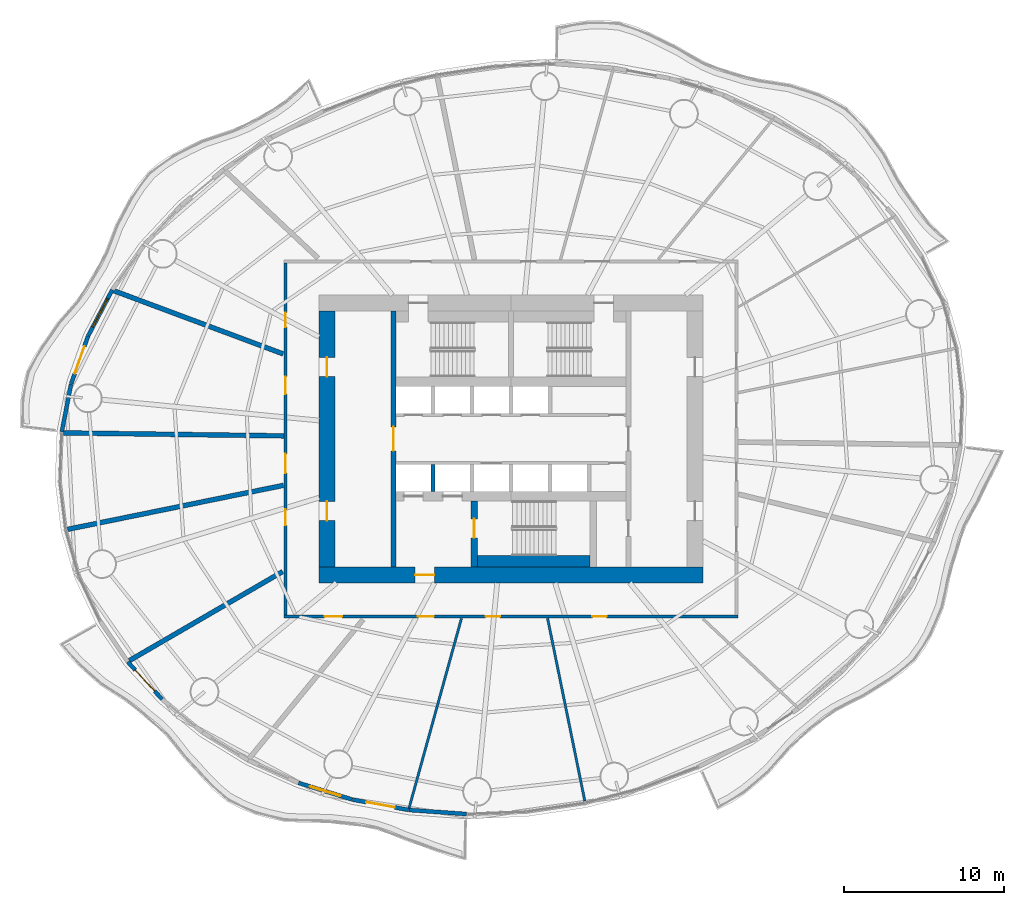
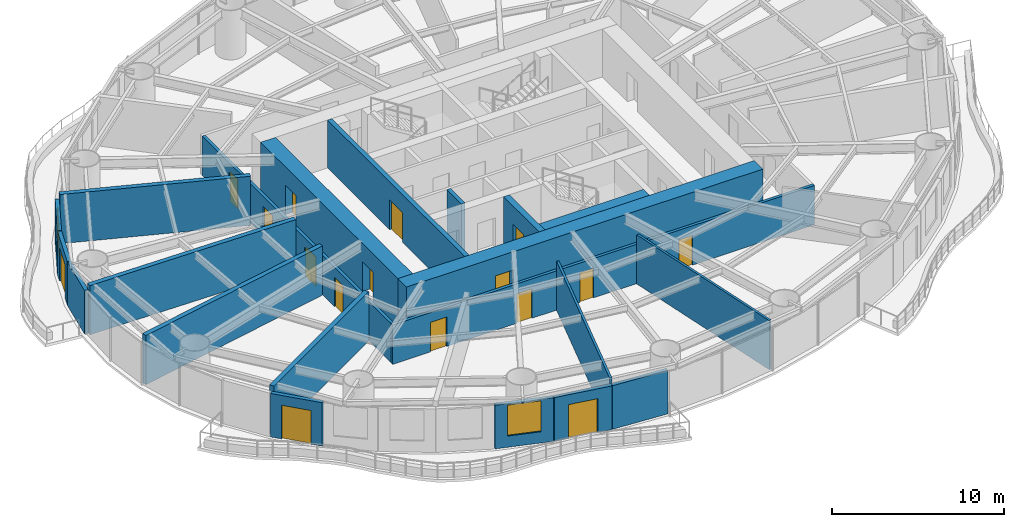
# One storey, part 8 of 16: 21 walls, 16 doors, 2 windows, 18 openings.
"""IFC4 building model written with IfcOpenShell, lengths in metres."""

from ifc_helpers import new_model, si_unit, direction, frame, frame_2d, origin, place, context, subcontext, project, spatial, rectangle, extrude, material, layer, layer_set, type_object, element, fill, save


model = new_model("IFC4")

# Units and contexts
model_context = context("Model", 3, precision=1e-05, world=origin(), true_north=direction((0.0, 1.0)))
body_context = subcontext(model_context, "Body", "Model", "MODEL_VIEW")
ifc_project = project(units=[si_unit("LENGTHUNIT", "METRE"), si_unit("AREAUNIT", "SQUARE_METRE"), si_unit("VOLUMEUNIT", "CUBIC_METRE"), si_unit("PLANEANGLEUNIT", "RADIAN"), si_unit("MASSUNIT", "GRAM", prefix="KILO")], contexts=[model_context])

# Site, building, storey
site_placement = place(None, origin())
site = spatial("IfcSite", under=ifc_project, at=site_placement, CompositionType="ELEMENT")
building_placement = place(site_placement, origin())
building = spatial("IfcBuilding", under=site, at=building_placement, Name="Vermilion Reach Broadcast Tower", CompositionType="ELEMENT")
storey_placement = place(building_placement, frame((0.0, 0.0, 80.39990234375)))
storey = spatial("IfcBuildingStorey", under=building, at=storey_placement, Name="L17", CompositionType="ELEMENT", Elevation=80.39990234375)

# Wall, opening, door
ifc_material_1 = material(Name="Concrete C70", Category="concrete")
ifc_layer_1 = layer(ifc_material_1, 0.300048828125)
ifc_layer_set_1 = layer_set([ifc_layer_1], Name="Core inner wall 300 mm Concrete C70")
wall_type_1 = type_object("IfcWallType", Name="Core inner wall 300 mm Concrete C70", PredefinedType="SHEAR", material=ifc_layer_set_1)
wall_1_placement = place(storey_placement, frame((-13.35009765625, 8.0, 0.0), z_axis=(0.0, 0.0, 1.0), x_axis=(0.0, -1.0, 0.0)))
wall_1 = element("IfcWall", 1, at=wall_1_placement, inside=storey, type_object=wall_type_1, Name="L17 core wall ewW", PredefinedType="SHEAR", context=body_context, shape_type="SweptSolid", body=[
    extrude(rectangle(XDim=16.0, YDim=0.300048828125, at=frame_2d((8.0, 0.0))), origin(), (0.0, 0.0, 1.0), 3.400146484375),
])
opening_1_placement = place(wall_1_placement, frame((7.25, 0.0, 0.0)))
opening_1 = element("IfcOpeningElement", 2, at=opening_1_placement, cuts=wall_1, Name="Opening D04", PredefinedType="OPENING", context=body_context, shape_type="SweptSolid", body=[
    extrude(rectangle(XDim=1.5, YDim=2.10009765625, at=frame_2d((0.75, 1.050048828125))), frame((0.0, 0.159912109375, 0.0), z_axis=(0.0, -1.0, 0.0), x_axis=(1.0, 0.0, 0.0)), (0.0, 0.0, 1.0), 0.320068359375),
])
ifc_material_2 = material(Name="Painted steel fire door", Category="steel")
door_type_1 = type_object("IfcDoorType", Name="Lift lobby door 1500 x 2100", OperationType="DOUBLE_DOOR_SINGLE_SWING", PredefinedType="NOTDEFINED", material=ifc_material_2)
door_1_placement = place(opening_1_placement, origin())
door_1 = element("IfcDoor", 3, at=door_1_placement, inside=storey, type_object=door_type_1, Name="L17 band door BW", OperationType="DOUBLE_DOOR_SINGLE_SWING", OverallHeight=2.10009765625, OverallWidth=1.5, PredefinedType="NOTDEFINED", context=body_context, shape_type="SweptSolid", body=[
    extrude(rectangle(XDim=1.5, YDim=2.10009765625, at=frame_2d((0.75, 1.050048828125))), frame((0.0, 0.02490234375, 0.0), z_axis=(0.0, -1.0, 0.0), x_axis=(1.0, 0.0, 0.0)), (0.0, 0.0, 1.0), 0.050048828125),
])
fill(opening_1, door_1)

ifc_material_3 = material(Name="Concrete C70", Category="concrete")
ifc_layer_2 = layer(ifc_material_3, 0.39990234375)
ifc_layer_set_2 = layer_set([ifc_layer_2], Name="Core inner wall 400 mm Concrete C70")
wall_type_2 = type_object("IfcWallType", Name="Core inner wall 400 mm Concrete C70", PredefinedType="SHEAR", material=ifc_layer_set_2)
wall_2_placement = place(storey_placement, frame((-8.300048828125, -3.8798828125, 0.0), z_axis=(0.0, 0.0, 1.0), x_axis=(0.0, -1.0, 0.0)))
wall_2 = element("IfcWall", 4, at=wall_2_placement, inside=storey, type_object=wall_type_2, Name="L17 core wall wa", PredefinedType="SHEAR", context=body_context, shape_type="SweptSolid", body=[
    extrude(rectangle(XDim=4.1201171875, YDim=0.39990234375, at=frame_2d((2.06005859375, 0.0))), origin(), (0.0, 0.0, 1.0), 3.400146484375),
])
opening_2_placement = place(wall_2_placement, frame((1.110107421875, 0.0, 0.0)))
opening_2 = element("IfcOpeningElement", 5, at=opening_2_placement, cuts=wall_2, Name="Opening D01", PredefinedType="OPENING", context=body_context, shape_type="SweptSolid", body=[
    extrude(rectangle(XDim=1.199951171875, YDim=2.10009765625, at=frame_2d((0.60009765625, 1.050048828125))), frame((0.0, 0.2099609375, 0.0), z_axis=(0.0, -1.0, 0.0), x_axis=(1.0, 0.0, 0.0)), (0.0, 0.0, 1.0), 0.419921875),
])
ifc_material_4 = material(Name="Painted steel fire door", Category="steel")
door_type_2 = type_object("IfcDoorType", Name="Stair door 1200 x 2100", OperationType="DOUBLE_DOOR_SINGLE_SWING", PredefinedType="NOTDEFINED", material=ifc_material_4)
door_2_placement = place(opening_2_placement, origin())
door_2 = element("IfcDoor", 6, at=door_2_placement, inside=storey, type_object=door_type_2, Name="L17 stair door ST3", OperationType="DOUBLE_DOOR_SINGLE_SWING", OverallHeight=2.10009765625, OverallWidth=1.199951171875, PredefinedType="NOTDEFINED", context=body_context, shape_type="SweptSolid", body=[
    extrude(rectangle(XDim=1.199951171875, YDim=2.10009765625, at=frame_2d((0.60009765625, 1.050048828125))), frame((0.0, 0.02490234375, 0.0), z_axis=(0.0, -1.0, 0.0), x_axis=(1.0, 0.0, 0.0)), (0.0, 0.0, 1.0), 0.050048828125),
])
fill(opening_2, door_2)

ifc_material_5 = material(Name="Concrete C70", Category="concrete")
ifc_layer_3 = layer(ifc_material_5, 1.0)
ifc_layer_set_3 = layer_set([ifc_layer_3], Name="Core outer wall 1000 mm Concrete C70")
wall_type_3 = type_object("IfcWallType", Name="Core outer wall 1000 mm Concrete C70", PredefinedType="SHEAR", material=ifc_layer_set_3)
wall_3_placement = place(storey_placement, frame((-18.0, -8.5, 0.0), z_axis=(0.0, 0.0, 1.0), x_axis=(1.0, 0.0, 0.0)))
wall_3 = element("IfcWall", 7, at=wall_3_placement, inside=storey, type_object=wall_type_3, Name="L17 core wall os", PredefinedType="SHEAR", context=body_context, shape_type="SweptSolid", body=[
    extrude(rectangle(XDim=24.0, YDim=1.0, at=frame_2d((12.0, 0.0))), origin(), (0.0, 0.0, 1.0), 3.400146484375),
])
opening_3_placement = place(wall_3_placement, frame((6.0, 0.0, 0.0)))
opening_3 = element("IfcOpeningElement", 8, at=opening_3_placement, cuts=wall_3, Name="Opening D02", PredefinedType="OPENING", context=body_context, shape_type="SweptSolid", body=[
    extrude(rectangle(XDim=1.199951171875, YDim=2.10009765625, at=frame_2d((0.60009765625, 1.050048828125))), frame((0.0, 0.510009765625, 0.0), z_axis=(0.0, -1.0, 0.0), x_axis=(1.0, 0.0, 0.0)), (0.0, 0.0, 1.0), 1.02001953125),
])
ifc_material_6 = material(Name="Painted steel fire door", Category="steel")
door_type_3 = type_object("IfcDoorType", Name="Firefighting lobby door 1200 x 2100", OperationType="DOUBLE_DOOR_SINGLE_SWING", PredefinedType="NOTDEFINED", material=ifc_material_6)
door_3_placement = place(opening_3_placement, origin())
door_3 = element("IfcDoor", 9, at=door_3_placement, inside=storey, type_object=door_type_3, Name="L17 ffdoor door FFL", OperationType="DOUBLE_DOOR_SINGLE_SWING", OverallHeight=2.10009765625, OverallWidth=1.199951171875, PredefinedType="NOTDEFINED", context=body_context, shape_type="SweptSolid", body=[
    extrude(rectangle(XDim=1.199951171875, YDim=2.10009765625, at=frame_2d((0.60009765625, 1.050048828125))), frame((0.0, 0.02490234375, 0.0), z_axis=(0.0, -1.0, 0.0), x_axis=(1.0, 0.0, 0.0)), (0.0, 0.0, 1.0), 0.050048828125),
])
fill(opening_3, door_3)

# Wall, openings, doors
wall_4_placement = place(storey_placement, frame((-17.5, 8.0, 0.0), z_axis=(0.0, 0.0, 1.0), x_axis=(0.0, -1.0, 0.0)))
wall_4 = element("IfcWall", 10, at=wall_4_placement, inside=storey, type_object=wall_type_3, Name="L17 core wall ow", PredefinedType="SHEAR", context=body_context, shape_type="SweptSolid", body=[
    extrude(rectangle(XDim=16.0, YDim=1.0, at=frame_2d((8.0, 0.0))), origin(), (0.0, 0.0, 1.0), 3.400146484375),
])
opening_4_placement = place(wall_4_placement, frame((11.89990234375, 0.0, 0.0)))
opening_4 = element("IfcOpeningElement", 11, at=opening_4_placement, cuts=wall_4, Name="Opening D03", PredefinedType="OPENING", context=body_context, shape_type="SweptSolid", body=[
    extrude(rectangle(XDim=1.199951171875, YDim=2.10009765625, at=frame_2d((0.60009765625, 1.050048828125))), frame((0.0, 0.510009765625, 0.0), z_axis=(0.0, -1.0, 0.0), x_axis=(1.0, 0.0, 0.0)), (0.0, 0.0, 1.0), 1.02001953125),
])
opening_5_placement = place(wall_4_placement, frame((2.89990234375, 0.0, 0.0)))
opening_5 = element("IfcOpeningElement", 12, at=opening_5_placement, cuts=wall_4, Name="Opening D03", PredefinedType="OPENING", context=body_context, shape_type="SweptSolid", body=[
    extrude(rectangle(XDim=1.199951171875, YDim=2.10009765625, at=frame_2d((0.60009765625, 1.050048828125))), frame((0.0, 0.510009765625, 0.0), z_axis=(0.0, -1.0, 0.0), x_axis=(1.0, 0.0, 0.0)), (0.0, 0.0, 1.0), 1.02001953125),
])
ifc_material_7 = material(Name="Painted steel fire door", Category="steel")
door_type_4 = type_object("IfcDoorType", Name="Core lobby door 1200 x 2100", OperationType="DOUBLE_DOOR_SINGLE_SWING", PredefinedType="NOTDEFINED", material=ifc_material_7)
door_4_placement = place(opening_4_placement, origin())
door_4 = element("IfcDoor", 13, at=door_4_placement, inside=storey, type_object=door_type_4, Name="L17 slot door W0", OperationType="DOUBLE_DOOR_SINGLE_SWING", OverallHeight=2.10009765625, OverallWidth=1.199951171875, PredefinedType="NOTDEFINED", context=body_context, shape_type="SweptSolid", body=[
    extrude(rectangle(XDim=1.199951171875, YDim=2.10009765625, at=frame_2d((0.60009765625, 1.050048828125))), frame((0.0, 0.02490234375, 0.0), z_axis=(0.0, -1.0, 0.0), x_axis=(1.0, 0.0, 0.0)), (0.0, 0.0, 1.0), 0.050048828125),
])
fill(opening_4, door_4)
door_5_placement = place(opening_5_placement, origin())
door_5 = element("IfcDoor", 14, at=door_5_placement, inside=storey, type_object=door_type_4, Name="L17 slot door W1", OperationType="DOUBLE_DOOR_SINGLE_SWING", OverallHeight=2.10009765625, OverallWidth=1.199951171875, PredefinedType="NOTDEFINED", context=body_context, shape_type="SweptSolid", body=[
    extrude(rectangle(XDim=1.199951171875, YDim=2.10009765625, at=frame_2d((0.60009765625, 1.050048828125))), frame((0.0, 0.02490234375, 0.0), z_axis=(0.0, -1.0, 0.0), x_axis=(1.0, 0.0, 0.0)), (0.0, 0.0, 1.0), 0.050048828125),
])
fill(opening_5, door_5)

# Walls
ifc_material_8 = material(Name="Concrete C50", Category="concrete")
ifc_layer_4 = layer(ifc_material_8, 0.25)
ifc_layer_set_4 = layer_set([ifc_layer_4], Name="Core shaft wall 250 mm Concrete C50")
wall_type_4 = type_object("IfcWallType", Name="Core shaft wall 250 mm Concrete C50", PredefinedType="SHEAR", material=ifc_layer_set_4)
wall_5_placement = place(storey_placement, frame((-10.88330078125, -1.60009765625, 0.0), z_axis=(0.0, 0.0, 1.0), x_axis=(0.0, -1.0, 0.0)))
element("IfcWall", 15, at=wall_5_placement, inside=storey, type_object=wall_type_4, Name="L17 core wall psS0", PredefinedType="SHEAR", context=body_context, shape_type="SweptSolid", body=[
    extrude(rectangle(XDim=1.679931640625, YDim=0.25, at=frame_2d((0.83984375, 0.0))), origin(), (0.0, 0.0, 1.0), 3.400146484375),
])
ifc_material_9 = material(Name="Concrete C70", Category="concrete")
ifc_layer_5 = layer(ifc_material_9, 0.699951171875)
ifc_layer_set_5 = layer_set([ifc_layer_5], Name="Core stair wall 700 mm Concrete C70")
wall_type_5 = type_object("IfcWallType", Name="Core stair wall 700 mm Concrete C70", PredefinedType="SHEAR", material=ifc_layer_set_5)
wall_6_placement = place(storey_placement, frame((-8.10009765625, -7.64990234375, 0.0), z_axis=(0.0, 0.0, 1.0), x_axis=(1.0, 0.0, 0.0)))
element("IfcWall", 16, at=wall_6_placement, inside=storey, type_object=wall_type_5, Name="L17 core wall l3", PredefinedType="SHEAR", context=body_context, shape_type="SweptSolid", body=[
    extrude(rectangle(XDim=7.050048828125, YDim=0.699951171875, at=frame_2d((3.52490234375, 0.0))), origin(), (0.0, 0.0, 1.0), 3.400146484375),
])
ifc_material_10 = material(Name="Lightweight concrete block, plastered", Category="concrete")
ifc_layer_6 = layer(ifc_material_10, 0.14990234375)
ifc_layer_set_6 = layer_set([ifc_layer_6], Name="Partition 150 lightweight block")
wall_type_6 = type_object("IfcWallType", Name="Partition 150 lightweight block", PredefinedType="PARTITIONING", material=ifc_layer_set_6)
wall_7_placement = place(storey_placement, frame((-12.372802734375, -23.075439453125, 0.0), z_axis=(0.0, 0.0, 1.0), x_axis=(0.266208224794, 0.963915546639, 0.0)))
element("IfcWall", 17, at=wall_7_placement, inside=storey, type_object=wall_type_6, Name="Partition 17.12", PredefinedType="PARTITIONING", context=body_context, shape_type="SweptSolid", body=[
    extrude(rectangle(XDim=12.29931640625, YDim=0.14990234375, at=frame_2d((6.149658203125, 0.0))), origin(), (0.0, 0.0, 1.0), 3.5),
])
wall_8_placement = place(storey_placement, frame((-1.385498046875, -22.64111328125, 0.0), z_axis=(0.0, 0.0, 1.0), x_axis=(-0.199694198183, 0.979858268941, 0.0)))
element("IfcWall", 18, at=wall_8_placement, inside=storey, type_object=wall_type_6, Name="Partition 17.13", PredefinedType="PARTITIONING", context=body_context, shape_type="SweptSolid", body=[
    extrude(rectangle(XDim=11.660888671875, YDim=0.14990234375, at=frame_2d((5.83056640625, 0.0))), origin(), (0.0, 0.0, 1.0), 3.5),
])
ifc_material_11 = material(Name="Double-leaf plasterboard on isolated steel stud", Category="steel")
ifc_layer_7 = layer(ifc_material_11, 0.300048828125)
ifc_layer_set_7 = layer_set([ifc_layer_7], Name="Partition 300 acoustic double leaf")
wall_type_7 = type_object("IfcWallType", Name="Partition 300 acoustic double leaf", PredefinedType="PARTITIONING", material=ifc_layer_set_7)
wall_9_placement = place(storey_placement, frame((-30.822265625, 9.263916015625, 0.0), z_axis=(0.0, 0.0, 1.0), x_axis=(0.936877624621, -0.349657427326, 0.0)))
element("IfcWall", 19, at=wall_9_placement, inside=storey, type_object=wall_type_7, Name="Partition 17.07", PredefinedType="PARTITIONING", context=body_context, shape_type="SweptSolid", body=[
    extrude(rectangle(XDim=11.281982421875, YDim=0.300048828125, at=frame_2d((5.64111328125, 0.0))), origin(), (0.0, 0.0, 1.0), 3.5),
])
wall_10_placement = place(storey_placement, frame((-33.973388671875, 0.37939453125, 0.0), z_axis=(0.0, 0.0, 1.0), x_axis=(0.999908046775, -0.013560899459, 0.0)))
element("IfcWall", 20, at=wall_10_placement, inside=storey, type_object=wall_type_7, Name="Partition 17.08", PredefinedType="PARTITIONING", context=body_context, shape_type="SweptSolid", body=[
    extrude(rectangle(XDim=13.7724609375, YDim=0.300048828125, at=frame_2d((6.88623046875, 0.0))), origin(), (0.0, 0.0, 1.0), 3.5),
])
wall_11_placement = place(storey_placement, frame((-33.7216796875, -5.650146484375, 0.0), z_axis=(0.0, 0.0, 1.0), x_axis=(0.979855992488, 0.199705367945, 0.0)))
element("IfcWall", 21, at=wall_11_placement, inside=storey, type_object=wall_type_7, Name="Partition 17.09", PredefinedType="PARTITIONING", context=body_context, shape_type="SweptSolid", body=[
    extrude(rectangle(XDim=13.76904296875, YDim=0.300048828125, at=frame_2d((6.884521484375, 0.0))), origin(), (0.0, 0.0, 1.0), 3.5),
])
wall_12_placement = place(storey_placement, frame((-29.8642578125, -13.858642578125, 0.0), z_axis=(0.0, 0.0, 1.0), x_axis=(0.864754710569, 0.502194474829, 0.0)))
element("IfcWall", 22, at=wall_12_placement, inside=storey, type_object=wall_type_7, Name="Partition 17.10", PredefinedType="PARTITIONING", context=body_context, shape_type="SweptSolid", body=[
    extrude(rectangle(XDim=11.088623046875, YDim=0.300048828125, at=frame_2d((5.54443359375, 0.0))), origin(), (0.0, 0.0, 1.0), 3.5),
])

# Wall, opening, window
ifc_material_12 = material(Name="Terracotta rainscreen cladding", Category="masonry")
ifc_layer_8 = layer(ifc_material_12, 0.25)
ifc_layer_set_8 = layer_set([ifc_layer_8], Name="Terracotta rainscreen wall 250")
wall_type_8 = type_object("IfcWallType", Name="Terracotta rainscreen wall 250", PredefinedType="SOLIDWALL", material=ifc_layer_set_8)
wall_13_placement = place(storey_placement, frame((-30.9345703125, 9.318359375, 0.0), z_axis=(0.0, 0.0, 1.0), x_axis=(-0.464455263318, -0.885596583314, 0.0)))
wall_13 = element("IfcWall", 23, at=wall_13_placement, inside=storey, type_object=wall_type_8, Name="External wall L17 19", PredefinedType="SOLIDWALL", context=body_context, shape_type="SweptSolid", body=[
    extrude(rectangle(XDim=3.2353515625, YDim=0.25, at=frame_2d((1.61767578125, 0.0))), origin(), (0.0, 0.0, 1.0), 3.10009765625),
])
opening_6_placement = place(wall_13_placement, frame((0.61767578125, 0.0, 0.800048828125)))
opening_6 = element("IfcOpeningElement", 24, at=opening_6_placement, cuts=wall_13, Name="Opening W01", PredefinedType="OPENING", context=body_context, shape_type="SweptSolid", body=[
    extrude(rectangle(XDim=2.0, YDim=2.199951171875, at=frame_2d((1.0, 1.10009765625))), frame((0.0, 0.135009765625, 0.0), z_axis=(0.0, -1.0, 0.0), x_axis=(1.0, 0.0, 0.0)), (0.0, 0.0, 1.0), 0.27001953125),
])
ifc_material_13 = material(Name="Low-e laminated clear glass in aluminium frame", Category="aluminium")
window_type = type_object("IfcWindowType", Name="Punched window 2000 x 2200 sill 800", PartitioningType="SINGLE_PANEL", PredefinedType="WINDOW", material=ifc_material_13)
window_1_placement = place(opening_6_placement, origin())
window_1 = element("IfcWindow", 25, at=window_1_placement, inside=storey, type_object=window_type, Name="Window L17 19", OverallHeight=2.199951171875, OverallWidth=2.0, PartitioningType="SINGLE_PANEL", PredefinedType="WINDOW", context=body_context, shape_type="SweptSolid", body=[
    extrude(rectangle(XDim=2.0, YDim=2.199951171875, at=frame_2d((1.0, 1.10009765625))), frame((0.0, 0.030029296875, 0.0), z_axis=(0.0, -1.0, 0.0), x_axis=(1.0, 0.0, 0.0)), (0.0, 0.0, 1.0), 0.06005859375),
])
fill(opening_6, window_1)

# Wall, opening, door
wall_14_placement = place(storey_placement, frame((-32.447509765625, 6.4296875, 0.0), z_axis=(0.0, 0.0, 1.0), x_axis=(-0.334132445697, -0.942526131591, 0.0)))
wall_14 = element("IfcWall", 26, at=wall_14_placement, inside=storey, type_object=wall_type_8, Name="External wall L17 20", PredefinedType="SOLIDWALL", context=body_context, shape_type="SweptSolid", body=[
    extrude(rectangle(XDim=3.152099609375, YDim=0.25, at=frame_2d((1.576171875, 0.0))), origin(), (0.0, 0.0, 1.0), 3.10009765625),
])
opening_7_placement = place(wall_14_placement, frame((0.676025390625, 0.0, 0.0)))
opening_7 = element("IfcOpeningElement", 27, at=opening_7_placement, cuts=wall_14, Name="Opening D70", PredefinedType="OPENING", context=body_context, shape_type="SweptSolid", body=[
    extrude(rectangle(XDim=1.800048828125, YDim=2.39990234375, at=frame_2d((0.89990234375, 1.199951171875))), frame((0.0, 0.135009765625, 0.0), z_axis=(0.0, -1.0, 0.0), x_axis=(1.0, 0.0, 0.0)), (0.0, 0.0, 1.0), 0.27001953125),
])
ifc_material_14 = material(Name="Low-e laminated clear glass in aluminium frame", Category="aluminium")
door_type_5 = type_object("IfcDoorType", Name="Balcony sliding door 1800 x 2400", OperationType="DOUBLE_DOOR_SLIDING", PredefinedType="DOOR", material=ifc_material_14)
door_6_placement = place(opening_7_placement, origin())
door_6 = element("IfcDoor", 28, at=door_6_placement, inside=storey, type_object=door_type_5, Name="Balcony door L17 run 05", OperationType="DOUBLE_DOOR_SLIDING", OverallHeight=2.39990234375, OverallWidth=1.800048828125, PredefinedType="DOOR", context=body_context, shape_type="SweptSolid", body=[
    extrude(rectangle(XDim=1.800048828125, YDim=2.39990234375, at=frame_2d((0.89990234375, 1.199951171875))), frame((0.0, 0.02490234375, 0.0), z_axis=(0.0, -1.0, 0.0), x_axis=(1.0, 0.0, 0.0)), (0.0, 0.0, 1.0), 0.050048828125),
])
fill(opening_7, door_6)

# Wall
wall_15_placement = place(storey_placement, frame((-33.5078125, 3.43310546875, 0.0), z_axis=(0.0, 0.0, 1.0), x_axis=(-0.190508646818, -0.981685517611, 0.0)))
element("IfcWall", 29, at=wall_15_placement, inside=storey, type_object=wall_type_8, Name="External wall L17 21", PredefinedType="SOLIDWALL", context=body_context, shape_type="SweptSolid", body=[
    extrude(rectangle(XDim=3.041015625, YDim=0.25, at=frame_2d((1.5205078125, 0.0))), origin(), (0.0, 0.0, 1.0), 3.10009765625),
])

# Wall, opening, door
wall_16_placement = place(storey_placement, frame((-29.953369140625, -13.94580078125, 0.0), z_axis=(0.0, 0.0, 1.0), x_axis=(0.676334681742, -0.736594459844, 0.0)))
wall_16 = element("IfcWall", 30, at=wall_16_placement, inside=storey, type_object=wall_type_8, Name="External wall L17 27", PredefinedType="SOLIDWALL", context=body_context, shape_type="SweptSolid", body=[
    extrude(rectangle(XDim=3.152099609375, YDim=0.25, at=frame_2d((1.576171875, 0.0))), origin(), (0.0, 0.0, 1.0), 3.10009765625),
])
opening_8_placement = place(wall_16_placement, frame((0.676025390625, 0.0, 0.0)))
opening_8 = element("IfcOpeningElement", 31, at=opening_8_placement, cuts=wall_16, Name="Opening D70", PredefinedType="OPENING", context=body_context, shape_type="SweptSolid", body=[
    extrude(rectangle(XDim=1.800048828125, YDim=2.39990234375, at=frame_2d((0.89990234375, 1.199951171875))), frame((0.0, 0.135009765625, 0.0), z_axis=(0.0, -1.0, 0.0), x_axis=(1.0, 0.0, 0.0)), (0.0, 0.0, 1.0), 0.27001953125),
])
door_7_placement = place(opening_8_placement, origin())
door_7 = element("IfcDoor", 32, at=door_7_placement, inside=storey, type_object=door_type_5, Name="Balcony door L17 run 07", OperationType="DOUBLE_DOOR_SLIDING", OverallHeight=2.39990234375, OverallWidth=1.800048828125, PredefinedType="DOOR", context=body_context, shape_type="SweptSolid", body=[
    extrude(rectangle(XDim=1.800048828125, YDim=2.39990234375, at=frame_2d((0.89990234375, 1.199951171875))), frame((0.0, 0.02490234375, 0.0), z_axis=(0.0, -1.0, 0.0), x_axis=(1.0, 0.0, 0.0)), (0.0, 0.0, 1.0), 0.050048828125),
])
fill(opening_8, door_7)

# Wall, opening, window
wall_17_placement = place(storey_placement, frame((-19.2841796875, -21.506591796875, 0.0), z_axis=(0.0, 0.0, 1.0), x_axis=(0.955359001532, -0.295447420351, 0.0)))
wall_17 = element("IfcWall", 33, at=wall_17_placement, inside=storey, type_object=wall_type_8, Name="External wall L17 31", PredefinedType="SOLIDWALL", context=body_context, shape_type="SweptSolid", body=[
    extrude(rectangle(XDim=3.501953125, YDim=0.25, at=frame_2d((1.7509765625, 0.0))), origin(), (0.0, 0.0, 1.0), 3.10009765625),
])
opening_9_placement = place(wall_17_placement, frame((0.7509765625, 0.0, 0.800048828125)))
opening_9 = element("IfcOpeningElement", 34, at=opening_9_placement, cuts=wall_17, Name="Opening W01", PredefinedType="OPENING", context=body_context, shape_type="SweptSolid", body=[
    extrude(rectangle(XDim=2.0, YDim=2.199951171875, at=frame_2d((1.0, 1.10009765625))), frame((0.0, 0.135009765625, 0.0), z_axis=(0.0, -1.0, 0.0), x_axis=(1.0, 0.0, 0.0)), (0.0, 0.0, 1.0), 0.27001953125),
])
window_2_placement = place(opening_9_placement, origin())
window_2 = element("IfcWindow", 35, at=window_2_placement, inside=storey, type_object=window_type, Name="Window L17 31", OverallHeight=2.199951171875, OverallWidth=2.0, PartitioningType="SINGLE_PANEL", PredefinedType="WINDOW", context=body_context, shape_type="SweptSolid", body=[
    extrude(rectangle(XDim=2.0, YDim=2.199951171875, at=frame_2d((1.0, 1.10009765625))), frame((0.0, 0.030029296875, 0.0), z_axis=(0.0, -1.0, 0.0), x_axis=(1.0, 0.0, 0.0)), (0.0, 0.0, 1.0), 0.06005859375),
])
fill(opening_9, window_2)

# Wall, opening, door
wall_18_placement = place(storey_placement, frame((-15.91650390625, -22.546630859375, 0.0), z_axis=(0.0, 0.0, 1.0), x_axis=(0.983303724205, -0.181971937299, 0.0)))
wall_18 = element("IfcWall", 36, at=wall_18_placement, inside=storey, type_object=wall_type_8, Name="External wall L17 32", PredefinedType="SOLIDWALL", context=body_context, shape_type="SweptSolid", body=[
    extrude(rectangle(XDim=3.576904296875, YDim=0.25, at=frame_2d((1.78857421875, 0.0))), origin(), (0.0, 0.0, 1.0), 3.10009765625),
])
opening_10_placement = place(wall_18_placement, frame((0.887939453125, 0.0, 0.0)))
opening_10 = element("IfcOpeningElement", 37, at=opening_10_placement, cuts=wall_18, Name="Opening D70", PredefinedType="OPENING", context=body_context, shape_type="SweptSolid", body=[
    extrude(rectangle(XDim=1.800048828125, YDim=2.39990234375, at=frame_2d((0.89990234375, 1.199951171875))), frame((0.0, 0.135009765625, 0.0), z_axis=(0.0, -1.0, 0.0), x_axis=(1.0, 0.0, 0.0)), (0.0, 0.0, 1.0), 0.27001953125),
])
door_8_placement = place(opening_10_placement, origin())
door_8 = element("IfcDoor", 38, at=door_8_placement, inside=storey, type_object=door_type_5, Name="Balcony door L17 run 08", OperationType="DOUBLE_DOOR_SLIDING", OverallHeight=2.39990234375, OverallWidth=1.800048828125, PredefinedType="DOOR", context=body_context, shape_type="SweptSolid", body=[
    extrude(rectangle(XDim=1.800048828125, YDim=2.39990234375, at=frame_2d((0.89990234375, 1.199951171875))), frame((0.0, 0.02490234375, 0.0), z_axis=(0.0, -1.0, 0.0), x_axis=(1.0, 0.0, 0.0)), (0.0, 0.0, 1.0), 0.050048828125),
])
fill(opening_10, door_8)

# Wall
wall_19_placement = place(storey_placement, frame((-12.37744140625, -23.2001953125, 0.0), z_axis=(0.0, 0.0, 1.0), x_axis=(0.997533004905, -0.070199032227, 0.0)))
element("IfcWall", 39, at=wall_19_placement, inside=storey, type_object=wall_type_8, Name="External wall L17 33", PredefinedType="SOLIDWALL", context=body_context, shape_type="SweptSolid", body=[
    extrude(rectangle(XDim=3.592529296875, YDim=0.25, at=frame_2d((1.79638671875, 0.0))), origin(), (0.0, 0.0, 1.0), 3.10009765625),
])

# Wall, openings, doors
ifc_material_15 = material(Name="Fire-rated gypsum board partition")
ifc_layer_9 = layer(ifc_material_15, 0.199951171875)
ifc_layer_set_9 = layer_set([ifc_layer_9], Name="Under girder: Corridor wall 200 fire-rated")
wall_type_9 = type_object("IfcWallType", Name="Under girder: Corridor wall 200 fire-rated", PredefinedType="PARTITIONING", material=ifc_layer_set_9)
wall_20_placement = place(storey_placement, frame((8.199951171875, -11.10009765625, 0.0), z_axis=(0.0, 0.0, 1.0), x_axis=(-1.0, 0.0, 0.0)))
wall_20 = element("IfcWall", 40, at=wall_20_placement, inside=storey, type_object=wall_type_9, Name="Corridor wall 17.S", PredefinedType="PARTITIONING", context=body_context, shape_type="SweptSolid", body=[
    extrude(rectangle(XDim=28.39990234375, YDim=0.199951171875, at=frame_2d((14.199951171875, 0.0))), origin(), (0.0, 0.0, 1.0), 2.800048828125),
])
opening_11_placement = place(wall_20_placement, frame((24.75439453125, 0.0, 0.0)))
opening_11 = element("IfcOpeningElement", 41, at=opening_11_placement, cuts=wall_20, Name="Opening D28", PredefinedType="OPENING", context=body_context, shape_type="SweptSolid", body=[
    extrude(rectangle(XDim=1.10009765625, YDim=2.10009765625, at=frame_2d((0.550048828125, 1.050048828125))), frame((0.0, 0.10986328125, 0.0), z_axis=(0.0, -1.0, 0.0), x_axis=(1.0, 0.0, 0.0)), (0.0, 0.0, 1.0), 0.219970703125),
])
opening_12_placement = place(wall_20_placement, frame((19.0185546875, 0.0, 0.0)))
opening_12 = element("IfcOpeningElement", 42, at=opening_12_placement, cuts=wall_20, Name="Opening D20", PredefinedType="OPENING", context=body_context, shape_type="SweptSolid", body=[
    extrude(rectangle(XDim=1.0, YDim=2.10009765625, at=frame_2d((0.5, 1.050048828125))), frame((0.0, 0.10986328125, 0.0), z_axis=(0.0, -1.0, 0.0), x_axis=(1.0, 0.0, 0.0)), (0.0, 0.0, 1.0), 0.219970703125),
])
opening_13_placement = place(wall_20_placement, frame((14.88037109375, 0.0, 0.0)))
opening_13 = element("IfcOpeningElement", 43, at=opening_13_placement, cuts=wall_20, Name="Opening D22", PredefinedType="OPENING", context=body_context, shape_type="SweptSolid", body=[
    extrude(rectangle(XDim=0.89990234375, YDim=2.10009765625, at=frame_2d((0.449951171875, 1.050048828125))), frame((0.0, 0.10986328125, 0.0), z_axis=(0.0, -1.0, 0.0), x_axis=(1.0, 0.0, 0.0)), (0.0, 0.0, 1.0), 0.219970703125),
])
opening_14_placement = place(wall_20_placement, frame((8.216796875, 0.0, 0.0)))
opening_14 = element("IfcOpeningElement", 44, at=opening_14_placement, cuts=wall_20, Name="Opening D22", PredefinedType="OPENING", context=body_context, shape_type="SweptSolid", body=[
    extrude(rectangle(XDim=0.89990234375, YDim=2.10009765625, at=frame_2d((0.449951171875, 1.050048828125))), frame((0.0, 0.10986328125, 0.0), z_axis=(0.0, -1.0, 0.0), x_axis=(1.0, 0.0, 0.0)), (0.0, 0.0, 1.0), 0.219970703125),
])
ifc_material_16 = material(Name="Timber door leaf", Category="wood")
door_type_6 = type_object("IfcDoorType", Name="Door single 1000x2100", OperationType="NOTDEFINED", PredefinedType="DOOR", material=ifc_material_16)
door_9_placement = place(opening_12_placement, origin())
door_9 = element("IfcDoor", 45, at=door_9_placement, inside=storey, type_object=door_type_6, Name="Door 17.11", OperationType="SINGLE_SWING_LEFT", OverallHeight=2.10009765625, OverallWidth=1.0, PredefinedType="DOOR", context=body_context, shape_type="SweptSolid", body=[
    extrude(rectangle(XDim=1.0, YDim=2.10009765625, at=frame_2d((0.5, 1.050048828125))), frame((0.0, 0.02490234375, 0.0), z_axis=(0.0, -1.0, 0.0), x_axis=(1.0, 0.0, 0.0)), (0.0, 0.0, 1.0), 0.050048828125),
])
fill(opening_12, door_9)
ifc_material_17 = material(Name="Acoustic sound-lock door leaf")
door_type_7 = type_object("IfcDoorType", Name="Door single 1100x2100", OperationType="NOTDEFINED", PredefinedType="DOOR", material=ifc_material_17)
door_10_placement = place(opening_11_placement, origin())
door_10 = element("IfcDoor", 46, at=door_10_placement, inside=storey, type_object=door_type_7, Name="Door 17.10", OperationType="SINGLE_SWING_LEFT", OverallHeight=2.10009765625, OverallWidth=1.10009765625, PredefinedType="DOOR", context=body_context, shape_type="SweptSolid", body=[
    extrude(rectangle(XDim=1.10009765625, YDim=2.10009765625, at=frame_2d((0.550048828125, 1.050048828125))), frame((0.0, 0.02490234375, 0.0), z_axis=(0.0, -1.0, 0.0), x_axis=(1.0, 0.0, 0.0)), (0.0, 0.0, 1.0), 0.050048828125),
])
fill(opening_11, door_10)
ifc_material_18 = material(Name="Timber door leaf", Category="wood")
door_type_8 = type_object("IfcDoorType", Name="Door single 900x2100", OperationType="NOTDEFINED", PredefinedType="DOOR", material=ifc_material_18)
door_11_placement = place(opening_13_placement, origin())
door_11 = element("IfcDoor", 47, at=door_11_placement, inside=storey, type_object=door_type_8, Name="Door 17.12", OperationType="SINGLE_SWING_RIGHT", OverallHeight=2.10009765625, OverallWidth=0.89990234375, PredefinedType="DOOR", context=body_context, shape_type="SweptSolid", body=[
    extrude(rectangle(XDim=0.89990234375, YDim=2.10009765625, at=frame_2d((0.449951171875, 1.050048828125))), frame((0.0, 0.02490234375, 0.0), z_axis=(0.0, -1.0, 0.0), x_axis=(1.0, 0.0, 0.0)), (0.0, 0.0, 1.0), 0.050048828125),
])
fill(opening_13, door_11)
door_12_placement = place(opening_14_placement, origin())
door_12 = element("IfcDoor", 48, at=door_12_placement, inside=storey, type_object=door_type_8, Name="Door 17.13", OperationType="SINGLE_SWING_RIGHT", OverallHeight=2.10009765625, OverallWidth=0.89990234375, PredefinedType="DOOR", context=body_context, shape_type="SweptSolid", body=[
    extrude(rectangle(XDim=0.89990234375, YDim=2.10009765625, at=frame_2d((0.449951171875, 1.050048828125))), frame((0.0, 0.02490234375, 0.0), z_axis=(0.0, -1.0, 0.0), x_axis=(1.0, 0.0, 0.0)), (0.0, 0.0, 1.0), 0.050048828125),
])
fill(opening_14, door_12)

wall_21_placement = place(storey_placement, frame((-20.10009765625, -11.0, 0.0), z_axis=(0.0, 0.0, 1.0), x_axis=(0.0, 1.0, 0.0)))
wall_21 = element("IfcWall", 49, at=wall_21_placement, inside=storey, type_object=wall_type_9, Name="Corridor wall 17.W", PredefinedType="PARTITIONING", context=body_context, shape_type="SweptSolid", body=[
    extrude(rectangle(XDim=22.0, YDim=0.199951171875, at=frame_2d((11.0, 0.0))), origin(), (0.0, 0.0, 1.0), 2.800048828125),
])
opening_15_placement = place(wall_21_placement, frame((17.999755859375, 0.0, 0.0)))
opening_15 = element("IfcOpeningElement", 50, at=opening_15_placement, cuts=wall_21, Name="Opening D22", PredefinedType="OPENING", context=body_context, shape_type="SweptSolid", body=[
    extrude(rectangle(XDim=0.89990234375, YDim=2.10009765625, at=frame_2d((0.449951171875, 1.050048828125))), frame((0.0, 0.10986328125, 0.0), z_axis=(0.0, -1.0, 0.0), x_axis=(1.0, 0.0, 0.0)), (0.0, 0.0, 1.0), 0.219970703125),
])
opening_16_placement = place(wall_21_placement, frame((13.797607421875, 0.0, 0.0)))
opening_16 = element("IfcOpeningElement", 51, at=opening_16_placement, cuts=wall_21, Name="Opening D28", PredefinedType="OPENING", context=body_context, shape_type="SweptSolid", body=[
    extrude(rectangle(XDim=1.10009765625, YDim=2.10009765625, at=frame_2d((0.550048828125, 1.050048828125))), frame((0.0, 0.10986328125, 0.0), z_axis=(0.0, -1.0, 0.0), x_axis=(1.0, 0.0, 0.0)), (0.0, 0.0, 1.0), 0.219970703125),
])
opening_17_placement = place(wall_21_placement, frame((8.871826171875, 0.0, 0.0)))
opening_17 = element("IfcOpeningElement", 52, at=opening_17_placement, cuts=wall_21, Name="Opening D26", PredefinedType="OPENING", context=body_context, shape_type="SweptSolid", body=[
    extrude(rectangle(XDim=1.199951171875, YDim=2.10009765625, at=frame_2d((0.60009765625, 1.050048828125))), frame((0.0, 0.10986328125, 0.0), z_axis=(0.0, -1.0, 0.0), x_axis=(1.0, 0.0, 0.0)), (0.0, 0.0, 1.0), 0.219970703125),
])
opening_18_placement = place(wall_21_placement, frame((5.60009765625, 0.0, 0.0)))
opening_18 = element("IfcOpeningElement", 53, at=opening_18_placement, cuts=wall_21, Name="Opening D20", PredefinedType="OPENING", context=body_context, shape_type="SweptSolid", body=[
    extrude(rectangle(XDim=1.0, YDim=2.10009765625, at=frame_2d((0.5, 1.050048828125))), frame((0.0, 0.10986328125, 0.0), z_axis=(0.0, -1.0, 0.0), x_axis=(1.0, 0.0, 0.0)), (0.0, 0.0, 1.0), 0.219970703125),
])
door_13_placement = place(opening_18_placement, origin())
door_13 = element("IfcDoor", 54, at=door_13_placement, inside=storey, type_object=door_type_6, Name="Door 17.09", OperationType="SINGLE_SWING_RIGHT", OverallHeight=2.10009765625, OverallWidth=1.0, PredefinedType="DOOR", context=body_context, shape_type="SweptSolid", body=[
    extrude(rectangle(XDim=1.0, YDim=2.10009765625, at=frame_2d((0.5, 1.050048828125))), frame((0.0, 0.02490234375, 0.0), z_axis=(0.0, -1.0, 0.0), x_axis=(1.0, 0.0, 0.0)), (0.0, 0.0, 1.0), 0.050048828125),
])
fill(opening_18, door_13)
door_14_placement = place(opening_16_placement, origin())
door_14 = element("IfcDoor", 55, at=door_14_placement, inside=storey, type_object=door_type_7, Name="Door 17.07", OperationType="SINGLE_SWING_RIGHT", OverallHeight=2.10009765625, OverallWidth=1.10009765625, PredefinedType="DOOR", context=body_context, shape_type="SweptSolid", body=[
    extrude(rectangle(XDim=1.10009765625, YDim=2.10009765625, at=frame_2d((0.550048828125, 1.050048828125))), frame((0.0, 0.02490234375, 0.0), z_axis=(0.0, -1.0, 0.0), x_axis=(1.0, 0.0, 0.0)), (0.0, 0.0, 1.0), 0.050048828125),
])
fill(opening_16, door_14)
ifc_material_19 = material(Name="Acoustic timber door leaf", Category="wood")
door_type_9 = type_object("IfcDoorType", Name="Door single 1200x2100", OperationType="NOTDEFINED", PredefinedType="DOOR", material=ifc_material_19)
door_15_placement = place(opening_17_placement, origin())
door_15 = element("IfcDoor", 56, at=door_15_placement, inside=storey, type_object=door_type_9, Name="Door 17.08", OperationType="SINGLE_SWING_LEFT", OverallHeight=2.10009765625, OverallWidth=1.199951171875, PredefinedType="DOOR", context=body_context, shape_type="SweptSolid", body=[
    extrude(rectangle(XDim=1.199951171875, YDim=2.10009765625, at=frame_2d((0.60009765625, 1.050048828125))), frame((0.0, 0.02490234375, 0.0), z_axis=(0.0, -1.0, 0.0), x_axis=(1.0, 0.0, 0.0)), (0.0, 0.0, 1.0), 0.050048828125),
])
fill(opening_17, door_15)
door_16_placement = place(opening_15_placement, origin())
door_16 = element("IfcDoor", 57, at=door_16_placement, inside=storey, type_object=door_type_8, Name="Door 17.06", OperationType="SINGLE_SWING_LEFT", OverallHeight=2.10009765625, OverallWidth=0.89990234375, PredefinedType="DOOR", context=body_context, shape_type="SweptSolid", body=[
    extrude(rectangle(XDim=0.89990234375, YDim=2.10009765625, at=frame_2d((0.449951171875, 1.050048828125))), frame((0.0, 0.02490234375, 0.0), z_axis=(0.0, -1.0, 0.0), x_axis=(1.0, 0.0, 0.0)), (0.0, 0.0, 1.0), 0.050048828125),
])
fill(opening_15, door_16)

save(model, "model.ifc")
